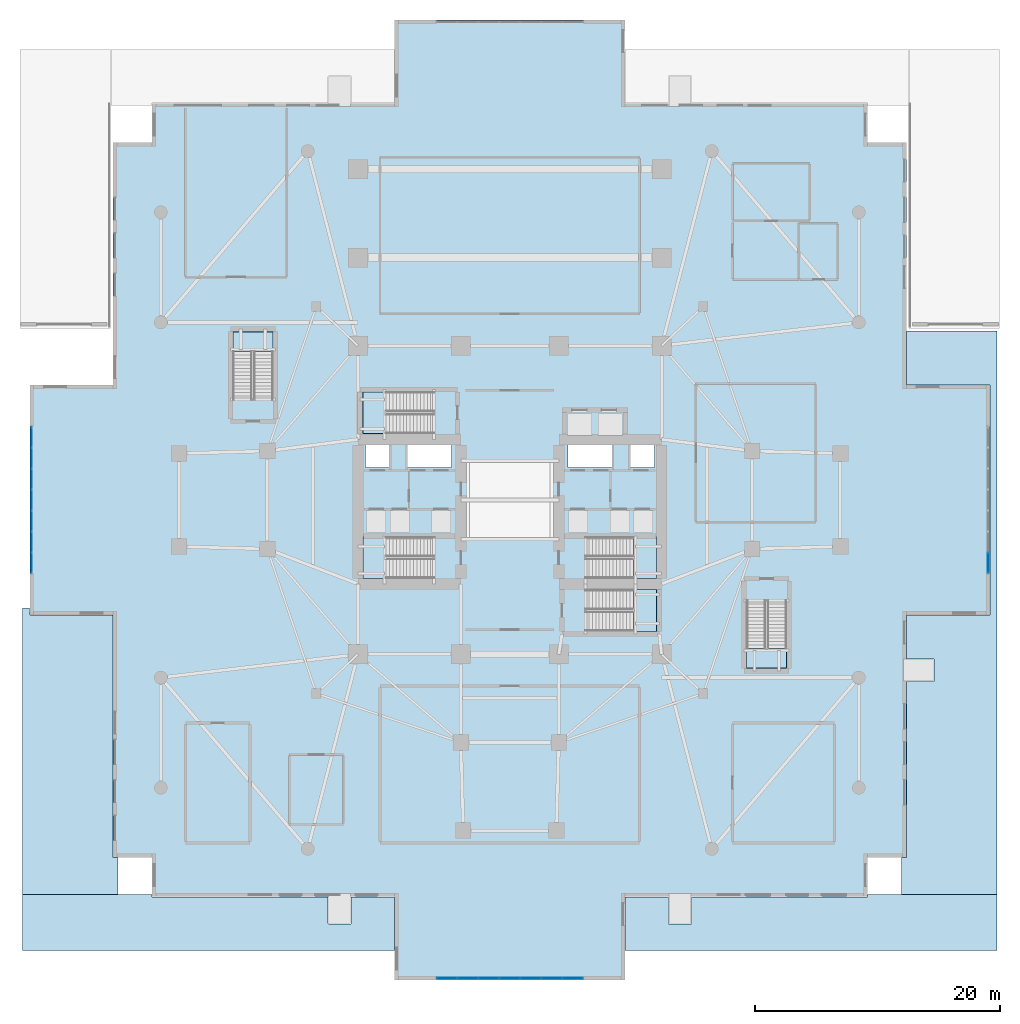
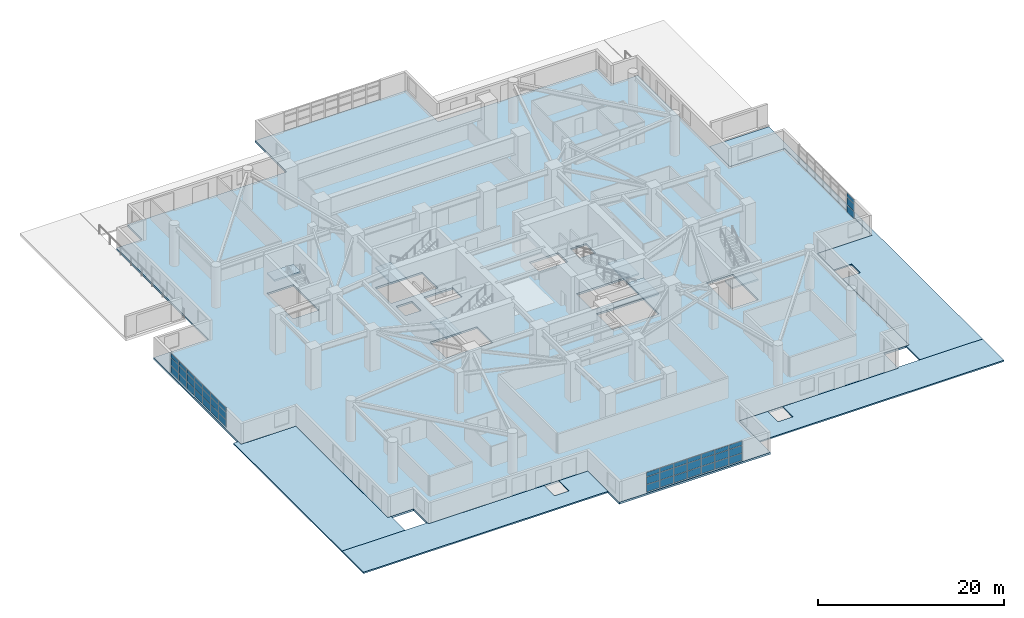
# One storey, part 11 of 24: 45 plates, 11 slabs, 9 elements without a shape of their own.
"""IFC4 building model written with IfcOpenShell, lengths in metres."""

from ifc_helpers import new_model, si_unit, direction, frame, origin, origin_2d, place, context, subcontext, project, spatial, polyline, rectangle, outline, extrude, material, layer, layer_set, type_object, element, aggregate, save


model = new_model("IFC4")

# Units and contexts
model_context = context("Model", 3, precision=1e-05, world=origin(), true_north=direction((0.0, 1.0)))
body_context = subcontext(model_context, "Body", "Model", "MODEL_VIEW")
ifc_project = project(units=[si_unit("LENGTHUNIT", "METRE"), si_unit("AREAUNIT", "SQUARE_METRE"), si_unit("VOLUMEUNIT", "CUBIC_METRE"), si_unit("PLANEANGLEUNIT", "RADIAN"), si_unit("MASSUNIT", "GRAM", prefix="KILO")], contexts=[model_context])

# Site, building, storey
site_placement = place(None, origin())
site = spatial("IfcSite", under=ifc_project, at=site_placement, CompositionType="ELEMENT")
building_placement = place(site_placement, origin())
building = spatial("IfcBuilding", under=site, at=building_placement, Name="Qingluan Cross Belvedere", CompositionType="ELEMENT")
storey_placement = place(building_placement, origin())
storey = spatial("IfcBuildingStorey", under=building, at=storey_placement, Name="L01", CompositionType="ELEMENT", Elevation=0.0)

# Curtain wall, plates
ifc_material_1 = material(Name="Thermally broken aluminium and Low-E glass", Category="aluminium")
ifc_layer_1 = layer(ifc_material_1, 0.199951171875, Name="UnitisedCW_PodiumArrival")
ifc_layer_set_1 = layer_set([ifc_layer_1], Name="Thermally broken aluminium and Low-E glass")
curtain_wall_type = type_object("IfcCurtainWallType", Name="UnitisedCW_PodiumArrival", PredefinedType="USERDEFINED", material=ifc_layer_set_1)
curtain_wall_1_placement = place(storey_placement, origin())
curtain_wall_1 = element("IfcCurtainWall", 1, at=curtain_wall_1_placement, inside=storey, type_object=curtain_wall_type, Name="UnitisedCW_PodiumArrival run env:cw:L01:S", ObjectType="UNITISED CURTAIN WALL", PredefinedType="USERDEFINED")
ifc_material_2 = material(Name="Ceramic-fritted insulated spandrel glass", Category="glass")
ifc_layer_2 = layer(ifc_material_2, 0.0439453125, Name="CWSpandrelPanel_44")
ifc_layer_set_2 = layer_set([ifc_layer_2], Name="Ceramic-fritted insulated spandrel glass")
plate_type = type_object("IfcPlateType", Name="CWSpandrelPanel_44", PredefinedType="CURTAIN_PANEL", material=ifc_layer_set_2)
plate_1_placement = place(storey_placement, frame((5.1279296875, -39.0400390625, 0.06005859375), z_axis=(0.0, 0.0, 1.0), x_axis=(-1.0, 0.0, 0.0)))
plate_1 = element("IfcPlate", 2, at=plate_1_placement, type_object=plate_type, Name="CW-P1 panel 1.1", PredefinedType="CURTAIN_PANEL", context=body_context, shape_type="SweptSolid", body=[
    extrude(rectangle(XDim=1.624267578125, YDim=0.028076171875, at=origin_2d()), origin(), (0.0, 0.0, 1.0), 0.927978515625),
])
plate_2_placement = place(storey_placement, frame((5.1279296875, -39.0400390625, 1.048095703125), z_axis=(0.0, 0.0, 1.0), x_axis=(-1.0, 0.0, 0.0)))
plate_2 = element("IfcPlate", 3, at=plate_2_placement, type_object=plate_type, Name="CW-P1 panel 1.2", PredefinedType="CURTAIN_PANEL", context=body_context, shape_type="SweptSolid", body=[
    extrude(rectangle(XDim=1.624267578125, YDim=0.028076171875, at=origin_2d()), origin(), (0.0, 0.0, 1.0), 0.958984375),
])
plate_3_placement = place(storey_placement, frame((5.1279296875, -39.0400390625, 2.06689453125), z_axis=(0.0, 0.0, 1.0), x_axis=(-1.0, 0.0, 0.0)))
plate_3 = element("IfcPlate", 4, at=plate_3_placement, type_object=plate_type, Name="CW-P1 panel 1.3", PredefinedType="CURTAIN_PANEL", context=body_context, shape_type="SweptSolid", body=[
    extrude(rectangle(XDim=1.624267578125, YDim=0.028076171875, at=origin_2d()), origin(), (0.0, 0.0, 1.0), 0.552978515625),
])
plate_4_placement = place(storey_placement, frame((3.428466796875, -39.0400390625, 0.06005859375), z_axis=(0.0, 0.0, 1.0), x_axis=(-1.0, 0.0, 0.0)))
plate_4 = element("IfcPlate", 5, at=plate_4_placement, type_object=plate_type, Name="CW-P1 panel 2.1", PredefinedType="CURTAIN_PANEL", context=body_context, shape_type="SweptSolid", body=[
    extrude(rectangle(XDim=1.654296875, YDim=0.028076171875, at=origin_2d()), origin(), (0.0, 0.0, 1.0), 0.927978515625),
])
plate_5_placement = place(storey_placement, frame((3.428466796875, -39.0400390625, 1.048095703125), z_axis=(0.0, 0.0, 1.0), x_axis=(-1.0, 0.0, 0.0)))
plate_5 = element("IfcPlate", 6, at=plate_5_placement, type_object=plate_type, Name="CW-P1 panel 2.2", PredefinedType="CURTAIN_PANEL", context=body_context, shape_type="SweptSolid", body=[
    extrude(rectangle(XDim=1.654296875, YDim=0.028076171875, at=origin_2d()), origin(), (0.0, 0.0, 1.0), 0.958984375),
])
plate_6_placement = place(storey_placement, frame((3.428466796875, -39.0400390625, 2.06689453125), z_axis=(0.0, 0.0, 1.0), x_axis=(-1.0, 0.0, 0.0)))
plate_6 = element("IfcPlate", 7, at=plate_6_placement, type_object=plate_type, Name="CW-P1 panel 2.3", PredefinedType="CURTAIN_PANEL", context=body_context, shape_type="SweptSolid", body=[
    extrude(rectangle(XDim=1.654296875, YDim=0.028076171875, at=origin_2d()), origin(), (0.0, 0.0, 1.0), 0.552978515625),
])
plate_7_placement = place(storey_placement, frame((1.71435546875, -39.0400390625, 0.06005859375), z_axis=(0.0, 0.0, 1.0), x_axis=(-1.0, 0.0, 0.0)))
plate_7 = element("IfcPlate", 8, at=plate_7_placement, type_object=plate_type, Name="CW-P1 panel 3.1", PredefinedType="CURTAIN_PANEL", context=body_context, shape_type="SweptSolid", body=[
    extrude(rectangle(XDim=1.654296875, YDim=0.028076171875, at=origin_2d()), origin(), (0.0, 0.0, 1.0), 0.927978515625),
])
plate_8_placement = place(storey_placement, frame((1.71435546875, -39.0400390625, 1.048095703125), z_axis=(0.0, 0.0, 1.0), x_axis=(-1.0, 0.0, 0.0)))
plate_8 = element("IfcPlate", 9, at=plate_8_placement, type_object=plate_type, Name="CW-P1 panel 3.2", PredefinedType="CURTAIN_PANEL", context=body_context, shape_type="SweptSolid", body=[
    extrude(rectangle(XDim=1.654296875, YDim=0.028076171875, at=origin_2d()), origin(), (0.0, 0.0, 1.0), 0.958984375),
])
plate_9_placement = place(storey_placement, frame((1.71435546875, -39.0400390625, 2.06689453125), z_axis=(0.0, 0.0, 1.0), x_axis=(-1.0, 0.0, 0.0)))
plate_9 = element("IfcPlate", 10, at=plate_9_placement, type_object=plate_type, Name="CW-P1 panel 3.3", PredefinedType="CURTAIN_PANEL", context=body_context, shape_type="SweptSolid", body=[
    extrude(rectangle(XDim=1.654296875, YDim=0.028076171875, at=origin_2d()), origin(), (0.0, 0.0, 1.0), 0.552978515625),
])
plate_10_placement = place(storey_placement, frame((0.0, -39.0400390625, 0.06005859375), z_axis=(0.0, 0.0, 1.0), x_axis=(-1.0, 0.0, 0.0)))
plate_10 = element("IfcPlate", 11, at=plate_10_placement, type_object=plate_type, Name="CW-P1 panel 4.1", PredefinedType="CURTAIN_PANEL", context=body_context, shape_type="SweptSolid", body=[
    extrude(rectangle(XDim=1.654296875, YDim=0.028076171875, at=origin_2d()), origin(), (0.0, 0.0, 1.0), 0.927978515625),
])
plate_11_placement = place(storey_placement, frame((0.0, -39.0400390625, 1.048095703125), z_axis=(0.0, 0.0, 1.0), x_axis=(-1.0, 0.0, 0.0)))
plate_11 = element("IfcPlate", 12, at=plate_11_placement, type_object=plate_type, Name="CW-P1 panel 4.2", PredefinedType="CURTAIN_PANEL", context=body_context, shape_type="SweptSolid", body=[
    extrude(rectangle(XDim=1.654296875, YDim=0.028076171875, at=origin_2d()), origin(), (0.0, 0.0, 1.0), 0.958984375),
])
plate_12_placement = place(storey_placement, frame((0.0, -39.0400390625, 2.06689453125), z_axis=(0.0, 0.0, 1.0), x_axis=(-1.0, 0.0, 0.0)))
plate_12 = element("IfcPlate", 13, at=plate_12_placement, type_object=plate_type, Name="CW-P1 panel 4.3", PredefinedType="CURTAIN_PANEL", context=body_context, shape_type="SweptSolid", body=[
    extrude(rectangle(XDim=1.654296875, YDim=0.028076171875, at=origin_2d()), origin(), (0.0, 0.0, 1.0), 0.552978515625),
])
plate_13_placement = place(storey_placement, frame((-1.71435546875, -39.0400390625, 0.06005859375), z_axis=(0.0, 0.0, 1.0), x_axis=(-1.0, 0.0, 0.0)))
plate_13 = element("IfcPlate", 14, at=plate_13_placement, type_object=plate_type, Name="CW-P1 panel 5.1", PredefinedType="CURTAIN_PANEL", context=body_context, shape_type="SweptSolid", body=[
    extrude(rectangle(XDim=1.654296875, YDim=0.028076171875, at=origin_2d()), origin(), (0.0, 0.0, 1.0), 0.927978515625),
])
plate_14_placement = place(storey_placement, frame((-1.71435546875, -39.0400390625, 1.048095703125), z_axis=(0.0, 0.0, 1.0), x_axis=(-1.0, 0.0, 0.0)))
plate_14 = element("IfcPlate", 15, at=plate_14_placement, type_object=plate_type, Name="CW-P1 panel 5.2", PredefinedType="CURTAIN_PANEL", context=body_context, shape_type="SweptSolid", body=[
    extrude(rectangle(XDim=1.654296875, YDim=0.028076171875, at=origin_2d()), origin(), (0.0, 0.0, 1.0), 0.958984375),
])
plate_15_placement = place(storey_placement, frame((-1.71435546875, -39.0400390625, 2.06689453125), z_axis=(0.0, 0.0, 1.0), x_axis=(-1.0, 0.0, 0.0)))
plate_15 = element("IfcPlate", 16, at=plate_15_placement, type_object=plate_type, Name="CW-P1 panel 5.3", PredefinedType="CURTAIN_PANEL", context=body_context, shape_type="SweptSolid", body=[
    extrude(rectangle(XDim=1.654296875, YDim=0.028076171875, at=origin_2d()), origin(), (0.0, 0.0, 1.0), 0.552978515625),
])
plate_16_placement = place(storey_placement, frame((-3.428466796875, -39.0400390625, 0.06005859375), z_axis=(0.0, 0.0, 1.0), x_axis=(-1.0, 0.0, 0.0)))
plate_16 = element("IfcPlate", 17, at=plate_16_placement, type_object=plate_type, Name="CW-P1 panel 6.1", PredefinedType="CURTAIN_PANEL", context=body_context, shape_type="SweptSolid", body=[
    extrude(rectangle(XDim=1.654296875, YDim=0.028076171875, at=origin_2d()), origin(), (0.0, 0.0, 1.0), 0.927978515625),
])
plate_17_placement = place(storey_placement, frame((-3.428466796875, -39.0400390625, 1.048095703125), z_axis=(0.0, 0.0, 1.0), x_axis=(-1.0, 0.0, 0.0)))
plate_17 = element("IfcPlate", 18, at=plate_17_placement, type_object=plate_type, Name="CW-P1 panel 6.2", PredefinedType="CURTAIN_PANEL", context=body_context, shape_type="SweptSolid", body=[
    extrude(rectangle(XDim=1.654296875, YDim=0.028076171875, at=origin_2d()), origin(), (0.0, 0.0, 1.0), 0.958984375),
])
plate_18_placement = place(storey_placement, frame((-3.428466796875, -39.0400390625, 2.06689453125), z_axis=(0.0, 0.0, 1.0), x_axis=(-1.0, 0.0, 0.0)))
plate_18 = element("IfcPlate", 19, at=plate_18_placement, type_object=plate_type, Name="CW-P1 panel 6.3", PredefinedType="CURTAIN_PANEL", context=body_context, shape_type="SweptSolid", body=[
    extrude(rectangle(XDim=1.654296875, YDim=0.028076171875, at=origin_2d()), origin(), (0.0, 0.0, 1.0), 0.552978515625),
])
plate_19_placement = place(storey_placement, frame((-5.1279296875, -39.0400390625, 0.06005859375), z_axis=(0.0, 0.0, 1.0), x_axis=(-1.0, 0.0, 0.0)))
plate_19 = element("IfcPlate", 20, at=plate_19_placement, type_object=plate_type, Name="CW-P1 panel 7.1", PredefinedType="CURTAIN_PANEL", context=body_context, shape_type="SweptSolid", body=[
    extrude(rectangle(XDim=1.624267578125, YDim=0.028076171875, at=origin_2d()), origin(), (0.0, 0.0, 1.0), 0.927978515625),
])
plate_20_placement = place(storey_placement, frame((-5.1279296875, -39.0400390625, 1.048095703125), z_axis=(0.0, 0.0, 1.0), x_axis=(-1.0, 0.0, 0.0)))
plate_20 = element("IfcPlate", 21, at=plate_20_placement, type_object=plate_type, Name="CW-P1 panel 7.2", PredefinedType="CURTAIN_PANEL", context=body_context, shape_type="SweptSolid", body=[
    extrude(rectangle(XDim=1.624267578125, YDim=0.028076171875, at=origin_2d()), origin(), (0.0, 0.0, 1.0), 0.958984375),
])
plate_21_placement = place(storey_placement, frame((-5.1279296875, -39.0400390625, 2.06689453125), z_axis=(0.0, 0.0, 1.0), x_axis=(-1.0, 0.0, 0.0)))
plate_21 = element("IfcPlate", 22, at=plate_21_placement, type_object=plate_type, Name="CW-P1 panel 7.3", PredefinedType="CURTAIN_PANEL", context=body_context, shape_type="SweptSolid", body=[
    extrude(rectangle(XDim=1.624267578125, YDim=0.028076171875, at=origin_2d()), origin(), (0.0, 0.0, 1.0), 0.552978515625),
])
aggregate(curtain_wall_1, [plate_1, plate_2, plate_3, plate_4, plate_5, plate_6, plate_7, plate_8, plate_9, plate_10, plate_11, plate_12, plate_13, plate_14, plate_15, plate_16, plate_17, plate_18, plate_19, plate_20, plate_21])

curtain_wall_2_placement = place(storey_placement, origin())
curtain_wall_2 = element("IfcCurtainWall", 23, at=curtain_wall_2_placement, inside=storey, type_object=curtain_wall_type, Name="UnitisedCW_PodiumArrival run env:cw:L01:W", ObjectType="UNITISED CURTAIN WALL", PredefinedType="USERDEFINED")
plate_22_placement = place(storey_placement, frame((-39.0400390625, -5.1279296875, 0.06005859375), z_axis=(0.0, 0.0, 1.0), x_axis=(0.0, 1.0, 0.0)))
plate_22 = element("IfcPlate", 24, at=plate_22_placement, type_object=plate_type, Name="CW-P1 panel 1.1", PredefinedType="CURTAIN_PANEL", context=body_context, shape_type="SweptSolid", body=[
    extrude(rectangle(XDim=1.624267578125, YDim=0.028076171875, at=origin_2d()), origin(), (0.0, 0.0, 1.0), 0.927978515625),
])
plate_23_placement = place(storey_placement, frame((-39.0400390625, -5.1279296875, 1.048095703125), z_axis=(0.0, 0.0, 1.0), x_axis=(0.0, 1.0, 0.0)))
plate_23 = element("IfcPlate", 25, at=plate_23_placement, type_object=plate_type, Name="CW-P1 panel 1.2", PredefinedType="CURTAIN_PANEL", context=body_context, shape_type="SweptSolid", body=[
    extrude(rectangle(XDim=1.624267578125, YDim=0.028076171875, at=origin_2d()), origin(), (0.0, 0.0, 1.0), 0.958984375),
])
plate_24_placement = place(storey_placement, frame((-39.0400390625, -5.1279296875, 2.06689453125), z_axis=(0.0, 0.0, 1.0), x_axis=(0.0, 1.0, 0.0)))
plate_24 = element("IfcPlate", 26, at=plate_24_placement, type_object=plate_type, Name="CW-P1 panel 1.3", PredefinedType="CURTAIN_PANEL", context=body_context, shape_type="SweptSolid", body=[
    extrude(rectangle(XDim=1.624267578125, YDim=0.028076171875, at=origin_2d()), origin(), (0.0, 0.0, 1.0), 0.552978515625),
])
plate_25_placement = place(storey_placement, frame((-39.0400390625, -3.428466796875, 0.06005859375), z_axis=(0.0, 0.0, 1.0), x_axis=(0.0, 1.0, 0.0)))
plate_25 = element("IfcPlate", 27, at=plate_25_placement, type_object=plate_type, Name="CW-P1 panel 2.1", PredefinedType="CURTAIN_PANEL", context=body_context, shape_type="SweptSolid", body=[
    extrude(rectangle(XDim=1.654296875, YDim=0.028076171875, at=origin_2d()), origin(), (0.0, 0.0, 1.0), 0.927978515625),
])
plate_26_placement = place(storey_placement, frame((-39.0400390625, -3.428466796875, 1.048095703125), z_axis=(0.0, 0.0, 1.0), x_axis=(0.0, 1.0, 0.0)))
plate_26 = element("IfcPlate", 28, at=plate_26_placement, type_object=plate_type, Name="CW-P1 panel 2.2", PredefinedType="CURTAIN_PANEL", context=body_context, shape_type="SweptSolid", body=[
    extrude(rectangle(XDim=1.654296875, YDim=0.028076171875, at=origin_2d()), origin(), (0.0, 0.0, 1.0), 0.958984375),
])
plate_27_placement = place(storey_placement, frame((-39.0400390625, -3.428466796875, 2.06689453125), z_axis=(0.0, 0.0, 1.0), x_axis=(0.0, 1.0, 0.0)))
plate_27 = element("IfcPlate", 29, at=plate_27_placement, type_object=plate_type, Name="CW-P1 panel 2.3", PredefinedType="CURTAIN_PANEL", context=body_context, shape_type="SweptSolid", body=[
    extrude(rectangle(XDim=1.654296875, YDim=0.028076171875, at=origin_2d()), origin(), (0.0, 0.0, 1.0), 0.552978515625),
])
plate_28_placement = place(storey_placement, frame((-39.0400390625, -1.71435546875, 0.06005859375), z_axis=(0.0, 0.0, 1.0), x_axis=(0.0, 1.0, 0.0)))
plate_28 = element("IfcPlate", 30, at=plate_28_placement, type_object=plate_type, Name="CW-P1 panel 3.1", PredefinedType="CURTAIN_PANEL", context=body_context, shape_type="SweptSolid", body=[
    extrude(rectangle(XDim=1.654296875, YDim=0.028076171875, at=origin_2d()), origin(), (0.0, 0.0, 1.0), 0.927978515625),
])
plate_29_placement = place(storey_placement, frame((-39.0400390625, -1.71435546875, 1.048095703125), z_axis=(0.0, 0.0, 1.0), x_axis=(0.0, 1.0, 0.0)))
plate_29 = element("IfcPlate", 31, at=plate_29_placement, type_object=plate_type, Name="CW-P1 panel 3.2", PredefinedType="CURTAIN_PANEL", context=body_context, shape_type="SweptSolid", body=[
    extrude(rectangle(XDim=1.654296875, YDim=0.028076171875, at=origin_2d()), origin(), (0.0, 0.0, 1.0), 0.958984375),
])
plate_30_placement = place(storey_placement, frame((-39.0400390625, -1.71435546875, 2.06689453125), z_axis=(0.0, 0.0, 1.0), x_axis=(0.0, 1.0, 0.0)))
plate_30 = element("IfcPlate", 32, at=plate_30_placement, type_object=plate_type, Name="CW-P1 panel 3.3", PredefinedType="CURTAIN_PANEL", context=body_context, shape_type="SweptSolid", body=[
    extrude(rectangle(XDim=1.654296875, YDim=0.028076171875, at=origin_2d()), origin(), (0.0, 0.0, 1.0), 0.552978515625),
])
plate_31_placement = place(storey_placement, frame((-39.0400390625, 0.0, 0.06005859375), z_axis=(0.0, 0.0, 1.0), x_axis=(0.0, 1.0, 0.0)))
plate_31 = element("IfcPlate", 33, at=plate_31_placement, type_object=plate_type, Name="CW-P1 panel 4.1", PredefinedType="CURTAIN_PANEL", context=body_context, shape_type="SweptSolid", body=[
    extrude(rectangle(XDim=1.654296875, YDim=0.028076171875, at=origin_2d()), origin(), (0.0, 0.0, 1.0), 0.927978515625),
])
plate_32_placement = place(storey_placement, frame((-39.0400390625, 0.0, 1.048095703125), z_axis=(0.0, 0.0, 1.0), x_axis=(0.0, 1.0, 0.0)))
plate_32 = element("IfcPlate", 34, at=plate_32_placement, type_object=plate_type, Name="CW-P1 panel 4.2", PredefinedType="CURTAIN_PANEL", context=body_context, shape_type="SweptSolid", body=[
    extrude(rectangle(XDim=1.654296875, YDim=0.028076171875, at=origin_2d()), origin(), (0.0, 0.0, 1.0), 0.958984375),
])
plate_33_placement = place(storey_placement, frame((-39.0400390625, 0.0, 2.06689453125), z_axis=(0.0, 0.0, 1.0), x_axis=(0.0, 1.0, 0.0)))
plate_33 = element("IfcPlate", 35, at=plate_33_placement, type_object=plate_type, Name="CW-P1 panel 4.3", PredefinedType="CURTAIN_PANEL", context=body_context, shape_type="SweptSolid", body=[
    extrude(rectangle(XDim=1.654296875, YDim=0.028076171875, at=origin_2d()), origin(), (0.0, 0.0, 1.0), 0.552978515625),
])
plate_34_placement = place(storey_placement, frame((-39.0400390625, 1.71435546875, 0.06005859375), z_axis=(0.0, 0.0, 1.0), x_axis=(0.0, 1.0, 0.0)))
plate_34 = element("IfcPlate", 36, at=plate_34_placement, type_object=plate_type, Name="CW-P1 panel 5.1", PredefinedType="CURTAIN_PANEL", context=body_context, shape_type="SweptSolid", body=[
    extrude(rectangle(XDim=1.654296875, YDim=0.028076171875, at=origin_2d()), origin(), (0.0, 0.0, 1.0), 0.927978515625),
])
plate_35_placement = place(storey_placement, frame((-39.0400390625, 1.71435546875, 1.048095703125), z_axis=(0.0, 0.0, 1.0), x_axis=(0.0, 1.0, 0.0)))
plate_35 = element("IfcPlate", 37, at=plate_35_placement, type_object=plate_type, Name="CW-P1 panel 5.2", PredefinedType="CURTAIN_PANEL", context=body_context, shape_type="SweptSolid", body=[
    extrude(rectangle(XDim=1.654296875, YDim=0.028076171875, at=origin_2d()), origin(), (0.0, 0.0, 1.0), 0.958984375),
])
plate_36_placement = place(storey_placement, frame((-39.0400390625, 1.71435546875, 2.06689453125), z_axis=(0.0, 0.0, 1.0), x_axis=(0.0, 1.0, 0.0)))
plate_36 = element("IfcPlate", 38, at=plate_36_placement, type_object=plate_type, Name="CW-P1 panel 5.3", PredefinedType="CURTAIN_PANEL", context=body_context, shape_type="SweptSolid", body=[
    extrude(rectangle(XDim=1.654296875, YDim=0.028076171875, at=origin_2d()), origin(), (0.0, 0.0, 1.0), 0.552978515625),
])
plate_37_placement = place(storey_placement, frame((-39.0400390625, 3.428466796875, 0.06005859375), z_axis=(0.0, 0.0, 1.0), x_axis=(0.0, 1.0, 0.0)))
plate_37 = element("IfcPlate", 39, at=plate_37_placement, type_object=plate_type, Name="CW-P1 panel 6.1", PredefinedType="CURTAIN_PANEL", context=body_context, shape_type="SweptSolid", body=[
    extrude(rectangle(XDim=1.654296875, YDim=0.028076171875, at=origin_2d()), origin(), (0.0, 0.0, 1.0), 0.927978515625),
])
plate_38_placement = place(storey_placement, frame((-39.0400390625, 3.428466796875, 1.048095703125), z_axis=(0.0, 0.0, 1.0), x_axis=(0.0, 1.0, 0.0)))
plate_38 = element("IfcPlate", 40, at=plate_38_placement, type_object=plate_type, Name="CW-P1 panel 6.2", PredefinedType="CURTAIN_PANEL", context=body_context, shape_type="SweptSolid", body=[
    extrude(rectangle(XDim=1.654296875, YDim=0.028076171875, at=origin_2d()), origin(), (0.0, 0.0, 1.0), 0.958984375),
])
plate_39_placement = place(storey_placement, frame((-39.0400390625, 3.428466796875, 2.06689453125), z_axis=(0.0, 0.0, 1.0), x_axis=(0.0, 1.0, 0.0)))
plate_39 = element("IfcPlate", 41, at=plate_39_placement, type_object=plate_type, Name="CW-P1 panel 6.3", PredefinedType="CURTAIN_PANEL", context=body_context, shape_type="SweptSolid", body=[
    extrude(rectangle(XDim=1.654296875, YDim=0.028076171875, at=origin_2d()), origin(), (0.0, 0.0, 1.0), 0.552978515625),
])
plate_40_placement = place(storey_placement, frame((-39.0400390625, 5.1279296875, 0.06005859375), z_axis=(0.0, 0.0, 1.0), x_axis=(0.0, 1.0, 0.0)))
plate_40 = element("IfcPlate", 42, at=plate_40_placement, type_object=plate_type, Name="CW-P1 panel 7.1", PredefinedType="CURTAIN_PANEL", context=body_context, shape_type="SweptSolid", body=[
    extrude(rectangle(XDim=1.624267578125, YDim=0.028076171875, at=origin_2d()), origin(), (0.0, 0.0, 1.0), 0.927978515625),
])
plate_41_placement = place(storey_placement, frame((-39.0400390625, 5.1279296875, 1.048095703125), z_axis=(0.0, 0.0, 1.0), x_axis=(0.0, 1.0, 0.0)))
plate_41 = element("IfcPlate", 43, at=plate_41_placement, type_object=plate_type, Name="CW-P1 panel 7.2", PredefinedType="CURTAIN_PANEL", context=body_context, shape_type="SweptSolid", body=[
    extrude(rectangle(XDim=1.624267578125, YDim=0.028076171875, at=origin_2d()), origin(), (0.0, 0.0, 1.0), 0.958984375),
])
plate_42_placement = place(storey_placement, frame((-39.0400390625, 5.1279296875, 2.06689453125), z_axis=(0.0, 0.0, 1.0), x_axis=(0.0, 1.0, 0.0)))
plate_42 = element("IfcPlate", 44, at=plate_42_placement, type_object=plate_type, Name="CW-P1 panel 7.3", PredefinedType="CURTAIN_PANEL", context=body_context, shape_type="SweptSolid", body=[
    extrude(rectangle(XDim=1.624267578125, YDim=0.028076171875, at=origin_2d()), origin(), (0.0, 0.0, 1.0), 0.552978515625),
])
aggregate(curtain_wall_2, [plate_22, plate_23, plate_24, plate_25, plate_26, plate_27, plate_28, plate_29, plate_30, plate_31, plate_32, plate_33, plate_34, plate_35, plate_36, plate_37, plate_38, plate_39, plate_40, plate_41, plate_42])

curtain_wall_3_placement = place(storey_placement, origin())
curtain_wall_3 = element("IfcCurtainWall", 45, at=curtain_wall_3_placement, inside=storey, type_object=curtain_wall_type, Name="UnitisedCW_PodiumArrival run env:cw:L01:E", ObjectType="UNITISED CURTAIN WALL", PredefinedType="USERDEFINED")
plate_43_placement = place(storey_placement, frame((39.0400390625, -5.1279296875, 0.06005859375), z_axis=(0.0, 0.0, 1.0), x_axis=(0.0, -1.0, 0.0)))
plate_43 = element("IfcPlate", 46, at=plate_43_placement, type_object=plate_type, Name="CW-P1 panel 7.1", PredefinedType="CURTAIN_PANEL", context=body_context, shape_type="SweptSolid", body=[
    extrude(rectangle(XDim=1.624267578125, YDim=0.028076171875, at=origin_2d()), origin(), (0.0, 0.0, 1.0), 0.927978515625),
])
plate_44_placement = place(storey_placement, frame((39.0400390625, -5.1279296875, 1.048095703125), z_axis=(0.0, 0.0, 1.0), x_axis=(0.0, -1.0, 0.0)))
plate_44 = element("IfcPlate", 47, at=plate_44_placement, type_object=plate_type, Name="CW-P1 panel 7.2", PredefinedType="CURTAIN_PANEL", context=body_context, shape_type="SweptSolid", body=[
    extrude(rectangle(XDim=1.624267578125, YDim=0.028076171875, at=origin_2d()), origin(), (0.0, 0.0, 1.0), 0.958984375),
])
plate_45_placement = place(storey_placement, frame((39.0400390625, -5.1279296875, 2.06689453125), z_axis=(0.0, 0.0, 1.0), x_axis=(0.0, -1.0, 0.0)))
plate_45 = element("IfcPlate", 48, at=plate_45_placement, type_object=plate_type, Name="CW-P1 panel 7.3", PredefinedType="CURTAIN_PANEL", context=body_context, shape_type="SweptSolid", body=[
    extrude(rectangle(XDim=1.624267578125, YDim=0.028076171875, at=origin_2d()), origin(), (0.0, 0.0, 1.0), 0.552978515625),
])
aggregate(curtain_wall_3, [plate_43, plate_44, plate_45])

# Slabs
ifc_material_3 = material(Name="Concrete C40", Category="concrete")
ifc_layer_3 = layer(ifc_material_3, 0.25, Name="FloorSlab_250")
ifc_layer_set_3 = layer_set([ifc_layer_3], Name="Concrete C40")
slab_type_1 = type_object("IfcSlabType", Name="FloorSlab_250", PredefinedType="FLOOR", material=ifc_layer_set_3)
slab_1_placement = place(storey_placement, frame((0.0, 0.0, -0.25)))
element("IfcSlab", 49, at=slab_1_placement, inside=storey, type_object=slab_type_1, Name="Structural floor slab L01", PredefinedType="FLOOR", context=body_context, shape_type="SweptSolid", body=[
    extrude(outline(polyline([(29.199951171875, -32.39990234375), (29.199951171875, -29.199951171875), (32.39990234375, -29.199951171875), (32.39990234375, -9.39990234375), (39.199951171875, -9.39990234375), (39.199951171875, 9.39990234375), (32.39990234375, 9.39990234375), (32.39990234375, 29.199951171875), (29.199951171875, 29.199951171875), (29.199951171875, 32.39990234375), (9.39990234375, 32.39990234375), (9.39990234375, 39.199951171875), (-9.39990234375, 39.199951171875), (-9.39990234375, 32.39990234375), (-29.199951171875, 32.39990234375), (-29.199951171875, 29.199951171875), (-32.39990234375, 29.199951171875), (-32.39990234375, 9.39990234375), (-39.199951171875, 9.39990234375), (-39.199951171875, -9.39990234375), (-32.39990234375, -9.39990234375), (-32.39990234375, -29.199951171875), (-29.199951171875, -29.199951171875), (-29.199951171875, -32.39990234375), (-9.39990234375, -32.39990234375), (-9.39990234375, -39.199951171875), (9.39990234375, -39.199951171875), (9.39990234375, -32.39990234375), (29.199951171875, -32.39990234375)]), holes=[polyline([(-12.0, -3.0), (-6.179931640625, -3.0), (-6.179931640625, -6.39990234375), (-12.0, -6.39990234375), (-12.0, -3.0)]), polyline([(6.179931640625, -3.0), (12.0, -3.0), (12.0, -6.39990234375), (6.179931640625, -6.39990234375), (6.179931640625, -3.0)]), polyline([(-12.0, 8.820068359375), (-6.179931640625, 8.820068359375), (-6.179931640625, 5.419921875), (-12.0, 5.419921875), (-12.0, 8.820068359375)]), polyline([(6.179931640625, -7.320068359375), (12.0, -7.320068359375), (12.0, -10.719970703125), (6.179931640625, -10.719970703125), (6.179931640625, -7.320068359375)]), polyline([(-22.60009765625, 13.72998046875), (-19.340087890625, 13.72998046875), (-19.340087890625, 8.2099609375), (-22.60009765625, 8.2099609375), (-22.60009765625, 13.72998046875)]), polyline([(19.340087890625, -8.2099609375), (22.60009765625, -8.2099609375), (22.60009765625, -13.72998046875), (19.340087890625, -13.72998046875), (19.340087890625, -8.2099609375)]), polyline([(-11.800048828125, 4.64990234375), (-9.85009765625, 4.64990234375), (-9.85009765625, 2.64990234375), (-11.800048828125, 2.64990234375), (-11.800048828125, 4.64990234375)]), polyline([(-8.35009765625, 4.64990234375), (-4.75, 4.64990234375), (-4.75, 2.64990234375), (-8.35009765625, 2.64990234375), (-8.35009765625, 4.64990234375)]), polyline([(4.75, 4.64990234375), (8.35009765625, 4.64990234375), (8.35009765625, 2.64990234375), (4.75, 2.64990234375), (4.75, 4.64990234375)]), polyline([(9.85009765625, 4.64990234375), (11.800048828125, 4.64990234375), (11.800048828125, 2.64990234375), (9.85009765625, 2.64990234375), (9.85009765625, 4.64990234375)])]), origin(), (0.0, 0.0, 1.0), 0.25),
])
ifc_material_4 = material(Name="Concrete C30", Category="concrete")
ifc_layer_4 = layer(ifc_material_4, 0.179931640625, Name="ForecourtPaving_180")
ifc_layer_set_4 = layer_set([ifc_layer_4], Name="Concrete C30")
slab_type_2 = type_object("IfcSlabType", Name="ForecourtPaving_180", PredefinedType="USERDEFINED", material=ifc_layer_set_4)
slab_2_placement = place(storey_placement, frame((0.0, 0.0, -0.179931640625)))
element("IfcSlab", 50, at=slab_2_placement, inside=storey, type_object=slab_type_2, Name="Public garden forecourt paving 1", ObjectType="PAVING", PredefinedType="USERDEFINED", context=body_context, shape_type="SweptSolid", body=[
    extrude(outline(polyline([(-9.407958984375, -36.800048828125), (-9.407958984375, -32.407958984375), (-12.969970703125, -32.407958984375), (-12.976806640625, -34.618896484375), (-13.0, -34.6298828125), (-14.800048828125, -34.6298828125), (-14.830078125, -34.60009765625), (-14.830078125, -32.407958984375), (-29.199951171875, -32.407958984375), (-29.2080078125, -32.199951171875), (-39.800048828125, -32.199951171875), (-39.800048828125, -36.800048828125), (-9.407958984375, -36.800048828125)])), origin(), (0.0, 0.0, 1.0), 0.179931640625),
])
slab_3_placement = place(storey_placement, frame((0.0, 0.0, -0.179931640625)))
element("IfcSlab", 51, at=slab_3_placement, inside=storey, type_object=slab_type_2, Name="Public garden forecourt paving 2", ObjectType="PAVING", PredefinedType="USERDEFINED", context=body_context, shape_type="SweptSolid", body=[
    extrude(outline(polyline([(29.2080078125, -32.199951171875), (29.199951171875, -32.407958984375), (14.830078125, -32.407958984375), (14.830078125, -34.60009765625), (14.800048828125, -34.6298828125), (13.0, -34.6298828125), (12.976806640625, -34.618896484375), (12.969970703125, -32.407958984375), (9.407958984375, -32.407958984375), (9.407958984375, -36.800048828125), (39.800048828125, -36.800048828125), (39.800048828125, -32.199951171875), (29.2080078125, -32.199951171875)])), origin(), (0.0, 0.0, 1.0), 0.179931640625),
])
slab_4_placement = place(storey_placement, frame((0.0, 0.0, -0.179931640625)))
element("IfcSlab", 52, at=slab_4_placement, inside=storey, type_object=slab_type_2, Name="Public garden forecourt paving 5", ObjectType="PAVING", PredefinedType="USERDEFINED", context=body_context, shape_type="SweptSolid", body=[
    extrude(outline(polyline([(32.407958984375, 13.800048828125), (32.407958984375, 9.407958984375), (39.207763671875, 9.40234375), (39.2080078125, -9.39990234375), (32.407958984375, -9.407958984375), (32.407958984375, -12.969970703125), (34.618896484375, -12.976806640625), (34.6298828125, -13.0), (34.6298828125, -14.800048828125), (34.60009765625, -14.830078125), (32.407958984375, -14.830078125), (32.407958984375, -29.199951171875), (32.0, -29.2080078125), (32.0, -32.199951171875), (39.800048828125, -32.199951171875), (39.800048828125, 13.800048828125), (32.407958984375, 13.800048828125)])), origin(), (0.0, 0.0, 1.0), 0.179931640625),
])
slab_5_placement = place(storey_placement, frame((0.0, 0.0, -0.179931640625)))
element("IfcSlab", 53, at=slab_5_placement, inside=storey, type_object=slab_type_2, Name="Public garden forecourt paving 6", ObjectType="PAVING", PredefinedType="USERDEFINED", context=body_context, shape_type="SweptSolid", body=[
    extrude(outline(polyline([(-32.0, -29.2080078125), (-32.407958984375, -29.199951171875), (-32.407958984375, -9.407958984375), (-39.20068359375, -9.407958984375), (-39.2080078125, -8.800048828125), (-39.800048828125, -8.800048828125), (-39.800048828125, -32.199951171875), (-32.0, -32.199951171875), (-32.0, -29.2080078125)])), origin(), (0.0, 0.0, 1.0), 0.179931640625),
])

# Stair, slab
ifc_material_5 = material(Name="Concrete C40", Category="concrete")
stair_type_1 = type_object("IfcStairType", Name="CoreDoglegStair_1620", PredefinedType="HALF_TURN_STAIR", material=ifc_material_5)
stair_1_placement = place(storey_placement, origin())
stair_1 = element("IfcStair", 54, at=stair_1_placement, inside=storey, type_object=stair_type_1, Name="L01 ST1", PredefinedType="HALF_TURN_STAIR")
ifc_material_6 = material(Name="Concrete C40", Category="concrete")
ifc_layer_5 = layer(ifc_material_6, 0.179931640625, Name="StairLandingSlab_180")
ifc_layer_set_5 = layer_set([ifc_layer_5], Name="Concrete C40")
slab_type_3 = type_object("IfcSlabType", Name="StairLandingSlab_180", PredefinedType="LANDING", material=ifc_layer_set_5)
slab_6_placement = place(storey_placement, frame((0.0, 0.0, 2.5)))
slab_6 = element("IfcSlab", 55, at=slab_6_placement, type_object=slab_type_3, Name="ST1 landing 1", PredefinedType="LANDING", context=body_context, shape_type="SweptSolid", body=[
    extrude(outline(polyline([(-10.10009765625, -3.0), (-12.0, -3.0), (-12.0, -6.39990234375), (-10.10009765625, -6.39990234375), (-10.10009765625, -3.0)])), origin(), (0.0, 0.0, 1.0), 0.199951171875),
])
aggregate(stair_1, [slab_6])

stair_2_placement = place(storey_placement, origin())
stair_2 = element("IfcStair", 56, at=stair_2_placement, inside=storey, type_object=stair_type_1, Name="L01 ST2", PredefinedType="HALF_TURN_STAIR")
slab_7_placement = place(storey_placement, frame((0.0, 0.0, 2.5)))
slab_7 = element("IfcSlab", 57, at=slab_7_placement, type_object=slab_type_3, Name="ST2 landing 1", PredefinedType="LANDING", context=body_context, shape_type="SweptSolid", body=[
    extrude(outline(polyline([(10.10009765625, -6.39990234375), (12.0, -6.39990234375), (12.0, -3.0), (10.10009765625, -3.0), (10.10009765625, -6.39990234375)])), origin(), (0.0, 0.0, 1.0), 0.199951171875),
])
aggregate(stair_2, [slab_7])

stair_3_placement = place(storey_placement, origin())
stair_3 = element("IfcStair", 58, at=stair_3_placement, inside=storey, type_object=stair_type_1, Name="L01 ST3", PredefinedType="HALF_TURN_STAIR")
slab_8_placement = place(storey_placement, frame((0.0, 0.0, 2.5)))
slab_8 = element("IfcSlab", 59, at=slab_8_placement, type_object=slab_type_3, Name="ST3 landing 1", PredefinedType="LANDING", context=body_context, shape_type="SweptSolid", body=[
    extrude(outline(polyline([(-10.10009765625, 8.820068359375), (-12.0, 8.820068359375), (-12.0, 5.419921875), (-10.10009765625, 5.419921875), (-10.10009765625, 8.820068359375)])), origin(), (0.0, 0.0, 1.0), 0.199951171875),
])
aggregate(stair_3, [slab_8])

stair_4_placement = place(storey_placement, origin())
stair_4 = element("IfcStair", 60, at=stair_4_placement, inside=storey, type_object=stair_type_1, Name="L01 ST4", PredefinedType="HALF_TURN_STAIR")
slab_9_placement = place(storey_placement, frame((0.0, 0.0, 2.5)))
slab_9 = element("IfcSlab", 61, at=slab_9_placement, type_object=slab_type_3, Name="ST4 landing 1", PredefinedType="LANDING", context=body_context, shape_type="SweptSolid", body=[
    extrude(outline(polyline([(10.10009765625, -10.719970703125), (12.0, -10.719970703125), (12.0, -7.320068359375), (10.10009765625, -7.320068359375), (10.10009765625, -10.719970703125)])), origin(), (0.0, 0.0, 1.0), 0.199951171875),
])
aggregate(stair_4, [slab_9])

ifc_material_7 = material(Name="Concrete C40", Category="concrete")
stair_type_2 = type_object("IfcStairType", Name="PodiumExitStair_1550", PredefinedType="HALF_TURN_STAIR", material=ifc_material_7)
stair_5_placement = place(storey_placement, origin())
stair_5 = element("IfcStair", 62, at=stair_5_placement, inside=storey, type_object=stair_type_2, Name="L01 ST5", PredefinedType="HALF_TURN_STAIR")
slab_10_placement = place(storey_placement, frame((0.0, 0.0, 2.5)))
slab_10 = element("IfcSlab", 63, at=slab_10_placement, type_object=slab_type_3, Name="ST5 landing 1", PredefinedType="LANDING", context=body_context, shape_type="SweptSolid", body=[
    extrude(outline(polyline([(-19.340087890625, 12.1298828125), (-19.340087890625, 13.72998046875), (-22.60009765625, 13.72998046875), (-22.60009765625, 12.1298828125), (-19.340087890625, 12.1298828125)])), origin(), (0.0, 0.0, 1.0), 0.199951171875),
])
aggregate(stair_5, [slab_10])

stair_6_placement = place(storey_placement, origin())
stair_6 = element("IfcStair", 64, at=stair_6_placement, inside=storey, type_object=stair_type_2, Name="L01 ST6", PredefinedType="HALF_TURN_STAIR")
slab_11_placement = place(storey_placement, frame((0.0, 0.0, 2.5)))
slab_11 = element("IfcSlab", 65, at=slab_11_placement, type_object=slab_type_3, Name="ST6 landing 1", PredefinedType="LANDING", context=body_context, shape_type="SweptSolid", body=[
    extrude(outline(polyline([(19.340087890625, -12.1298828125), (19.340087890625, -13.72998046875), (22.60009765625, -13.72998046875), (22.60009765625, -12.1298828125), (19.340087890625, -12.1298828125)])), origin(), (0.0, 0.0, 1.0), 0.199951171875),
])
aggregate(stair_6, [slab_11])

save(model, "model.ifc")
